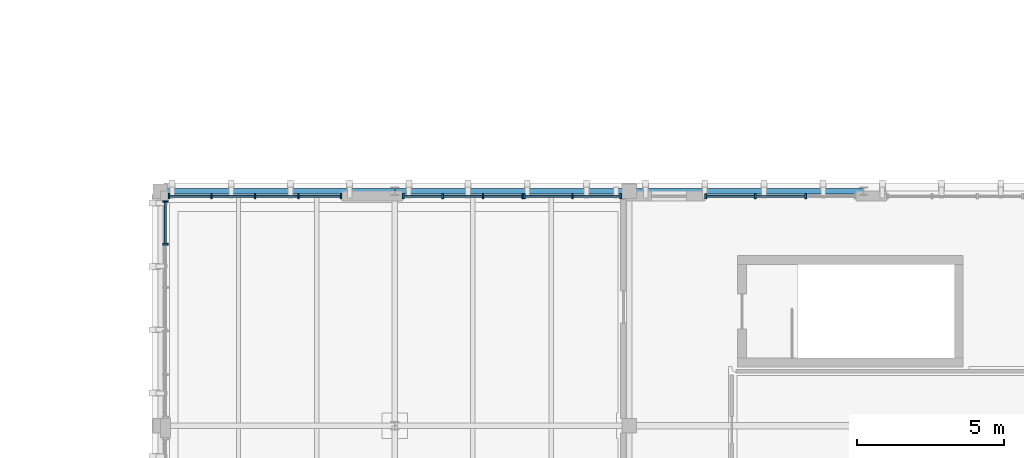
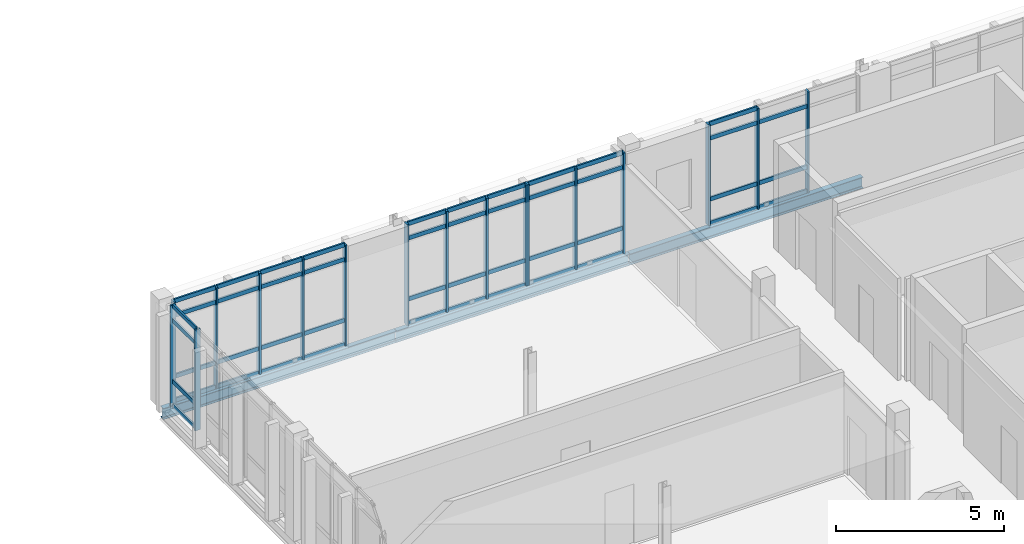
# One storey, part 6 of 28: 64 members, 3 beams, 5 elements without a shape of their own.
"""IFC4 building model written with IfcOpenShell, lengths in metres."""

from ifc_helpers import new_model, si_unit, direction, frame, origin, origin_2d, place, context, subcontext, project, spatial, rectangle, i_section, extrude, material, material_profile, profile_set, type_object, element, aggregate, save


model = new_model("IFC4")

# Units and contexts
model_context = context("Model", 3, precision=1e-05, world=origin(), true_north=direction((0.0, 1.0)))
body_context = subcontext(model_context, "Body", "Model", "MODEL_VIEW")
ifc_project = project(units=[si_unit("LENGTHUNIT", "METRE"), si_unit("AREAUNIT", "SQUARE_METRE"), si_unit("VOLUMEUNIT", "CUBIC_METRE"), si_unit("PLANEANGLEUNIT", "RADIAN"), si_unit("MASSUNIT", "GRAM", prefix="KILO")], contexts=[model_context])

# Site, building, storey
site_placement = place(None, origin())
site = spatial("IfcSite", under=ifc_project, at=site_placement, CompositionType="ELEMENT")
building_placement = place(site_placement, origin())
building = spatial("IfcBuilding", under=site, at=building_placement, Name="Cymarion Research Institute", CompositionType="ELEMENT")
storey_placement = place(building_placement, frame((0.0, 0.0, 30.60009765625)))
storey = spatial("IfcBuildingStorey", under=building, at=storey_placement, Name="L07", CompositionType="ELEMENT", Elevation=30.60009765625)

# Curtain wall, members
ifc_material_1 = material(Name="Anodised aluminium unitised curtain wall with Low-E glazing", Category="aluminium")
curtain_wall_type_1 = type_object("IfcCurtainWallType", Name="UNITISED CURTAIN WALL CW71 5150X3660", PredefinedType="NOTDEFINED", material=ifc_material_1)
curtain_wall_1_placement = place(storey_placement, origin())
curtain_wall_1 = element("IfcCurtainWall", 1, at=curtain_wall_1_placement, inside=storey, type_object=curtain_wall_type_1, Name="L07 V4 unitised curtain wall CW71 #236", PredefinedType="NOTDEFINED")
ifc_material_2 = material(Name="Anodised aluminium framing", Category="aluminium")
ifc_material_profile_1 = material_profile(ifc_material_2, rectangle(XDim=0.06005859375, YDim=0.179931640625, at=origin_2d()), Name="ALU MULLION 60x180")
ifc_profile_set_1 = profile_set([ifc_material_profile_1], Name="Anodised aluminium framing")
member_type_1 = type_object("IfcMemberType", Name="CURTAIN WALL MULLION ML01 60X180", PredefinedType="MULLION", material=ifc_profile_set_1)
member_1_placement = place(storey_placement, frame((36.6220703125, 71.330078125, 0.0), z_axis=(0.0, 0.0, 1.0), x_axis=(-1.0, 0.0, 0.0)))
member_1 = element("IfcMember", 2, at=member_1_placement, type_object=member_type_1, Name="CW71 mullion 2", PredefinedType="MULLION", context=body_context, shape_type="SweptSolid", body=[
    extrude(rectangle(XDim=0.06005859375, YDim=0.179931640625, at=origin_2d()), origin(), (0.0, 0.0, 1.0), 3.659912109375),
])
member_2_placement = place(storey_placement, frame((34.904296875, 71.330078125, 0.0), z_axis=(0.0, 0.0, 1.0), x_axis=(-1.0, 0.0, 0.0)))
member_2 = element("IfcMember", 3, at=member_2_placement, type_object=member_type_1, Name="CW71 mullion 3", PredefinedType="MULLION", context=body_context, shape_type="SweptSolid", body=[
    extrude(rectangle(XDim=0.06005859375, YDim=0.179931640625, at=origin_2d()), origin(), (0.0, 0.0, 1.0), 3.659912109375),
])
member_3_placement = place(storey_placement, frame((33.21630859375, 71.330078125, 0.0), z_axis=(0.0, 0.0, 1.0), x_axis=(-1.0, 0.0, 0.0)))
member_3 = element("IfcMember", 4, at=member_3_placement, type_object=member_type_1, Name="CW71 mullion 4", PredefinedType="MULLION", context=body_context, shape_type="SweptSolid", body=[
    extrude(rectangle(XDim=0.06005859375, YDim=0.179931640625, at=origin_2d()), origin(), (0.0, 0.0, 1.0), 3.659912109375),
])

curtain_wall_type_2 = type_object("IfcCurtainWallType", Name="UNITISED CURTAIN WALL CW72 3350X3660", PredefinedType="NOTDEFINED", material=ifc_material_1)
curtain_wall_2_placement = place(storey_placement, origin())
curtain_wall_2 = element("IfcCurtainWall", 5, at=curtain_wall_2_placement, inside=storey, type_object=curtain_wall_type_2, Name="L07 V4 unitised curtain wall CW72 #237", PredefinedType="NOTDEFINED")
member_4_placement = place(storey_placement, frame((30.31005859375, 71.330078125, 0.0), z_axis=(0.0, 0.0, 1.0), x_axis=(-1.0, 0.0, 0.0)))
member_4 = element("IfcMember", 6, at=member_4_placement, type_object=member_type_1, Name="CW72 mullion 1", PredefinedType="MULLION", context=body_context, shape_type="SweptSolid", body=[
    extrude(rectangle(XDim=0.06005859375, YDim=0.179931640625, at=origin_2d()), origin(), (0.0, 0.0, 1.0), 3.659912109375),
])
member_5_placement = place(storey_placement, frame((28.66552734375, 71.330078125, 0.0), z_axis=(0.0, 0.0, 1.0), x_axis=(-1.0, 0.0, 0.0)))
member_5 = element("IfcMember", 7, at=member_5_placement, type_object=member_type_1, Name="CW72 mullion 2", PredefinedType="MULLION", context=body_context, shape_type="SweptSolid", body=[
    extrude(rectangle(XDim=0.06005859375, YDim=0.179931640625, at=origin_2d()), origin(), (0.0, 0.0, 1.0), 3.659912109375),
])
member_6_placement = place(storey_placement, frame((27.02099609375, 71.330078125, 0.0), z_axis=(0.0, 0.0, 1.0), x_axis=(-1.0, 0.0, 0.0)))
member_6 = element("IfcMember", 8, at=member_6_placement, type_object=member_type_1, Name="CW72 mullion 3", PredefinedType="MULLION", context=body_context, shape_type="SweptSolid", body=[
    extrude(rectangle(XDim=0.06005859375, YDim=0.179931640625, at=origin_2d()), origin(), (0.0, 0.0, 1.0), 3.659912109375),
])

curtain_wall_type_3 = type_object("IfcCurtainWallType", Name="UNITISED CURTAIN WALL CW73 4130X3660", PredefinedType="NOTDEFINED", material=ifc_material_1)
curtain_wall_3_placement = place(storey_placement, origin())
curtain_wall_3 = element("IfcCurtainWall", 9, at=curtain_wall_3_placement, inside=storey, type_object=curtain_wall_type_3, Name="L07 V4 unitised curtain wall CW73 #238", PredefinedType="NOTDEFINED")
member_7_placement = place(storey_placement, frame((26.9609375, 71.330078125, 0.0), z_axis=(0.0, 0.0, 1.0), x_axis=(-1.0, 0.0, 0.0)))
member_7 = element("IfcMember", 10, at=member_7_placement, type_object=member_type_1, Name="CW73 mullion 1", PredefinedType="MULLION", context=body_context, shape_type="SweptSolid", body=[
    extrude(rectangle(XDim=0.06005859375, YDim=0.179931640625, at=origin_2d()), origin(), (0.0, 0.0, 1.0), 3.659912109375),
])
member_8_placement = place(storey_placement, frame((25.614013671875, 71.330078125, 0.0), z_axis=(0.0, 0.0, 1.0), x_axis=(-1.0, 0.0, 0.0)))
member_8 = element("IfcMember", 11, at=member_8_placement, type_object=member_type_1, Name="CW73 mullion 2", PredefinedType="MULLION", context=body_context, shape_type="SweptSolid", body=[
    extrude(rectangle(XDim=0.06005859375, YDim=0.179931640625, at=origin_2d()), origin(), (0.0, 0.0, 1.0), 3.659912109375),
])
member_9_placement = place(storey_placement, frame((24.237060546875, 71.330078125, 0.0), z_axis=(0.0, 0.0, 1.0), x_axis=(-1.0, 0.0, 0.0)))
member_9 = element("IfcMember", 12, at=member_9_placement, type_object=member_type_1, Name="CW73 mullion 3", PredefinedType="MULLION", context=body_context, shape_type="SweptSolid", body=[
    extrude(rectangle(XDim=0.06005859375, YDim=0.179931640625, at=origin_2d()), origin(), (0.0, 0.0, 1.0), 3.659912109375),
])
member_10_placement = place(storey_placement, frame((22.889892578125, 71.330078125, 0.0), z_axis=(0.0, 0.0, 1.0), x_axis=(-1.0, 0.0, 0.0)))
member_10 = element("IfcMember", 13, at=member_10_placement, type_object=member_type_1, Name="CW73 mullion 4", PredefinedType="MULLION", context=body_context, shape_type="SweptSolid", body=[
    extrude(rectangle(XDim=0.06005859375, YDim=0.179931640625, at=origin_2d()), origin(), (0.0, 0.0, 1.0), 3.659912109375),
])

curtain_wall_type_4 = type_object("IfcCurtainWallType", Name="UNITISED CURTAIN WALL CW74 5930X3660", PredefinedType="NOTDEFINED", material=ifc_material_1)
curtain_wall_4_placement = place(storey_placement, origin())
curtain_wall_4 = element("IfcCurtainWall", 14, at=curtain_wall_4_placement, inside=storey, type_object=curtain_wall_type_4, Name="L07 V4 unitised curtain wall CW74 #239", PredefinedType="NOTDEFINED")
member_11_placement = place(storey_placement, frame((20.765380859375, 71.330078125, 0.0), z_axis=(0.0, 0.0, 1.0), x_axis=(-1.0, 0.0, 0.0)))
member_11 = element("IfcMember", 15, at=member_11_placement, type_object=member_type_1, Name="CW74 mullion 1", PredefinedType="MULLION", context=body_context, shape_type="SweptSolid", body=[
    extrude(rectangle(XDim=0.06005859375, YDim=0.179931640625, at=origin_2d()), origin(), (0.0, 0.0, 1.0), 3.659912109375),
])
member_12_placement = place(storey_placement, frame((19.3115234375, 71.330078125, 0.0), z_axis=(0.0, 0.0, 1.0), x_axis=(-1.0, 0.0, 0.0)))
member_12 = element("IfcMember", 16, at=member_12_placement, type_object=member_type_1, Name="CW74 mullion 2", PredefinedType="MULLION", context=body_context, shape_type="SweptSolid", body=[
    extrude(rectangle(XDim=0.06005859375, YDim=0.179931640625, at=origin_2d()), origin(), (0.0, 0.0, 1.0), 3.659912109375),
])
member_13_placement = place(storey_placement, frame((17.82763671875, 71.330078125, 0.0), z_axis=(0.0, 0.0, 1.0), x_axis=(-1.0, 0.0, 0.0)))
member_13 = element("IfcMember", 17, at=member_13_placement, type_object=member_type_1, Name="CW74 mullion 3", PredefinedType="MULLION", context=body_context, shape_type="SweptSolid", body=[
    extrude(rectangle(XDim=0.06005859375, YDim=0.179931640625, at=origin_2d()), origin(), (0.0, 0.0, 1.0), 3.659912109375),
])
member_14_placement = place(storey_placement, frame((16.34375, 71.330078125, 0.0), z_axis=(0.0, 0.0, 1.0), x_axis=(-1.0, 0.0, 0.0)))
member_14 = element("IfcMember", 18, at=member_14_placement, type_object=member_type_1, Name="CW74 mullion 4", PredefinedType="MULLION", context=body_context, shape_type="SweptSolid", body=[
    extrude(rectangle(XDim=0.06005859375, YDim=0.179931640625, at=origin_2d()), origin(), (0.0, 0.0, 1.0), 3.659912109375),
])
member_15_placement = place(storey_placement, frame((14.889892578125, 71.330078125, 0.0), z_axis=(0.0, 0.0, 1.0), x_axis=(-1.0, 0.0, 0.0)))
member_15 = element("IfcMember", 19, at=member_15_placement, type_object=member_type_1, Name="CW74 mullion 5", PredefinedType="MULLION", context=body_context, shape_type="SweptSolid", body=[
    extrude(rectangle(XDim=0.06005859375, YDim=0.179931640625, at=origin_2d()), origin(), (0.0, 0.0, 1.0), 3.659912109375),
])

curtain_wall_type_5 = type_object("IfcCurtainWallType", Name="UNITISED CURTAIN WALL CW75 7420X3660", PredefinedType="NOTDEFINED", material=ifc_material_1)
curtain_wall_5_placement = place(storey_placement, origin())
curtain_wall_5 = element("IfcCurtainWall", 20, at=curtain_wall_5_placement, inside=storey, type_object=curtain_wall_type_5, Name="L07 V4 unitised curtain wall CW75 #240", PredefinedType="NOTDEFINED")
member_16_placement = place(storey_placement, frame((14.77001953125, 71.14794921875, 0.0), z_axis=(0.0, 0.0, 1.0), x_axis=(0.0, -1.0, 0.0)))
member_16 = element("IfcMember", 21, at=member_16_placement, type_object=member_type_1, Name="CW75 mullion 1", PredefinedType="MULLION", context=body_context, shape_type="SweptSolid", body=[
    extrude(rectangle(XDim=0.06005859375, YDim=0.179931640625, at=origin_2d()), origin(), (0.0, 0.0, 1.0), 3.659912109375),
])
member_17_placement = place(storey_placement, frame((14.77001953125, 69.6943359375, 0.0), z_axis=(0.0, 0.0, 1.0), x_axis=(0.0, -1.0, 0.0)))
member_17 = element("IfcMember", 22, at=member_17_placement, type_object=member_type_1, Name="CW75 mullion 2", PredefinedType="MULLION", context=body_context, shape_type="SweptSolid", body=[
    extrude(rectangle(XDim=0.06005859375, YDim=0.179931640625, at=origin_2d()), origin(), (0.0, 0.0, 1.0), 3.659912109375),
])

# Member
ifc_material_profile_2 = material_profile(ifc_material_2, rectangle(XDim=0.06005859375, YDim=0.14990234375, at=origin_2d()), Name="ALU TRANSOM 60x150")
ifc_profile_set_2 = profile_set([ifc_material_profile_2], Name="Anodised aluminium framing")
member_type_2 = type_object("IfcMemberType", Name="CURTAIN WALL TRANSOM TR01 60X150", PredefinedType="USERDEFINED", material=ifc_profile_set_2)
member_18_placement = place(storey_placement, frame((36.592041015625, 71.330078125, 0.02978515625), z_axis=(-1.0, 0.0, 0.0), x_axis=(0.0, -1.0, 0.0)))
member_18 = element("IfcMember", 23, at=member_18_placement, type_object=member_type_2, Name="CW71 transom 2.1", ObjectType="TRANSOM", PredefinedType="USERDEFINED", context=body_context, shape_type="SweptSolid", body=[
    extrude(rectangle(XDim=0.06005859375, YDim=0.14990234375, at=origin_2d()), origin(), (0.0, 0.0, 1.0), 1.657958984375),
])

member_19_placement = place(storey_placement, frame((36.592041015625, 71.330078125, 0.89990234375), z_axis=(-1.0, 0.0, 0.0), x_axis=(0.0, -1.0, 0.0)))
member_19 = element("IfcMember", 24, at=member_19_placement, type_object=member_type_2, Name="CW71 transom 2.2", ObjectType="TRANSOM", PredefinedType="USERDEFINED", context=body_context, shape_type="SweptSolid", body=[
    extrude(rectangle(XDim=0.06005859375, YDim=0.14990234375, at=origin_2d()), origin(), (0.0, 0.0, 1.0), 1.657958984375),
])

member_20_placement = place(storey_placement, frame((36.592041015625, 71.330078125, 3.10986328125), z_axis=(-1.0, 0.0, 0.0), x_axis=(0.0, -1.0, 0.0)))
member_20 = element("IfcMember", 25, at=member_20_placement, type_object=member_type_2, Name="CW71 transom 2.3", ObjectType="TRANSOM", PredefinedType="USERDEFINED", context=body_context, shape_type="SweptSolid", body=[
    extrude(rectangle(XDim=0.06005859375, YDim=0.14990234375, at=origin_2d()), origin(), (0.0, 0.0, 1.0), 1.657958984375),
])

member_21_placement = place(storey_placement, frame((34.874267578125, 71.330078125, 0.02978515625), z_axis=(-1.0, 0.0, 0.0), x_axis=(0.0, -1.0, 0.0)))
member_21 = element("IfcMember", 26, at=member_21_placement, type_object=member_type_2, Name="CW71 transom 3.1", ObjectType="TRANSOM", PredefinedType="USERDEFINED", context=body_context, shape_type="SweptSolid", body=[
    extrude(rectangle(XDim=0.06005859375, YDim=0.14990234375, at=origin_2d()), origin(), (0.0, 0.0, 1.0), 1.6279296875),
])

member_22_placement = place(storey_placement, frame((34.874267578125, 71.330078125, 0.89990234375), z_axis=(-1.0, 0.0, 0.0), x_axis=(0.0, -1.0, 0.0)))
member_22 = element("IfcMember", 27, at=member_22_placement, type_object=member_type_2, Name="CW71 transom 3.2", ObjectType="TRANSOM", PredefinedType="USERDEFINED", context=body_context, shape_type="SweptSolid", body=[
    extrude(rectangle(XDim=0.06005859375, YDim=0.14990234375, at=origin_2d()), origin(), (0.0, 0.0, 1.0), 1.6279296875),
])

member_23_placement = place(storey_placement, frame((34.874267578125, 71.330078125, 3.10986328125), z_axis=(-1.0, 0.0, 0.0), x_axis=(0.0, -1.0, 0.0)))
member_23 = element("IfcMember", 28, at=member_23_placement, type_object=member_type_2, Name="CW71 transom 3.3", ObjectType="TRANSOM", PredefinedType="USERDEFINED", context=body_context, shape_type="SweptSolid", body=[
    extrude(rectangle(XDim=0.06005859375, YDim=0.14990234375, at=origin_2d()), origin(), (0.0, 0.0, 1.0), 1.6279296875),
])

member_24_placement = place(storey_placement, frame((34.874267578125, 71.330078125, 3.6298828125), z_axis=(-1.0, 0.0, 0.0), x_axis=(0.0, -1.0, 0.0)))
member_24 = element("IfcMember", 29, at=member_24_placement, type_object=member_type_2, Name="CW71 transom 3.4", ObjectType="TRANSOM", PredefinedType="USERDEFINED", context=body_context, shape_type="SweptSolid", body=[
    extrude(rectangle(XDim=0.06005859375, YDim=0.14990234375, at=origin_2d()), origin(), (0.0, 0.0, 1.0), 1.6279296875),
])

aggregate(curtain_wall_1, [member_1, member_2, member_3, member_18, member_19, member_20, member_21, member_22, member_23, member_24])

member_25_placement = place(storey_placement, frame((30.280029296875, 71.330078125, 0.02978515625), z_axis=(-1.0, 0.0, 0.0), x_axis=(0.0, -1.0, 0.0)))
member_25 = element("IfcMember", 30, at=member_25_placement, type_object=member_type_2, Name="CW72 transom 1.1", ObjectType="TRANSOM", PredefinedType="USERDEFINED", context=body_context, shape_type="SweptSolid", body=[
    extrude(rectangle(XDim=0.06005859375, YDim=0.14990234375, at=origin_2d()), origin(), (0.0, 0.0, 1.0), 1.58447265625),
])

member_26_placement = place(storey_placement, frame((30.280029296875, 71.330078125, 0.89990234375), z_axis=(-1.0, 0.0, 0.0), x_axis=(0.0, -1.0, 0.0)))
member_26 = element("IfcMember", 31, at=member_26_placement, type_object=member_type_2, Name="CW72 transom 1.2", ObjectType="TRANSOM", PredefinedType="USERDEFINED", context=body_context, shape_type="SweptSolid", body=[
    extrude(rectangle(XDim=0.06005859375, YDim=0.14990234375, at=origin_2d()), origin(), (0.0, 0.0, 1.0), 1.58447265625),
])

member_27_placement = place(storey_placement, frame((30.280029296875, 71.330078125, 3.10986328125), z_axis=(-1.0, 0.0, 0.0), x_axis=(0.0, -1.0, 0.0)))
member_27 = element("IfcMember", 32, at=member_27_placement, type_object=member_type_2, Name="CW72 transom 1.3", ObjectType="TRANSOM", PredefinedType="USERDEFINED", context=body_context, shape_type="SweptSolid", body=[
    extrude(rectangle(XDim=0.06005859375, YDim=0.14990234375, at=origin_2d()), origin(), (0.0, 0.0, 1.0), 1.58447265625),
])

member_28_placement = place(storey_placement, frame((30.280029296875, 71.330078125, 3.6298828125), z_axis=(-1.0, 0.0, 0.0), x_axis=(0.0, -1.0, 0.0)))
member_28 = element("IfcMember", 33, at=member_28_placement, type_object=member_type_2, Name="CW72 transom 1.4", ObjectType="TRANSOM", PredefinedType="USERDEFINED", context=body_context, shape_type="SweptSolid", body=[
    extrude(rectangle(XDim=0.06005859375, YDim=0.14990234375, at=origin_2d()), origin(), (0.0, 0.0, 1.0), 1.58447265625),
])

member_29_placement = place(storey_placement, frame((28.635498046875, 71.330078125, 0.02978515625), z_axis=(-1.0, 0.0, 0.0), x_axis=(0.0, -1.0, 0.0)))
member_29 = element("IfcMember", 34, at=member_29_placement, type_object=member_type_2, Name="CW72 transom 2.1", ObjectType="TRANSOM", PredefinedType="USERDEFINED", context=body_context, shape_type="SweptSolid", body=[
    extrude(rectangle(XDim=0.06005859375, YDim=0.14990234375, at=origin_2d()), origin(), (0.0, 0.0, 1.0), 1.584716796875),
])

member_30_placement = place(storey_placement, frame((28.635498046875, 71.330078125, 0.89990234375), z_axis=(-1.0, 0.0, 0.0), x_axis=(0.0, -1.0, 0.0)))
member_30 = element("IfcMember", 35, at=member_30_placement, type_object=member_type_2, Name="CW72 transom 2.2", ObjectType="TRANSOM", PredefinedType="USERDEFINED", context=body_context, shape_type="SweptSolid", body=[
    extrude(rectangle(XDim=0.06005859375, YDim=0.14990234375, at=origin_2d()), origin(), (0.0, 0.0, 1.0), 1.584716796875),
])

member_31_placement = place(storey_placement, frame((28.635498046875, 71.330078125, 3.10986328125), z_axis=(-1.0, 0.0, 0.0), x_axis=(0.0, -1.0, 0.0)))
member_31 = element("IfcMember", 36, at=member_31_placement, type_object=member_type_2, Name="CW72 transom 2.3", ObjectType="TRANSOM", PredefinedType="USERDEFINED", context=body_context, shape_type="SweptSolid", body=[
    extrude(rectangle(XDim=0.06005859375, YDim=0.14990234375, at=origin_2d()), origin(), (0.0, 0.0, 1.0), 1.584716796875),
])

member_32_placement = place(storey_placement, frame((28.635498046875, 71.330078125, 3.6298828125), z_axis=(-1.0, 0.0, 0.0), x_axis=(0.0, -1.0, 0.0)))
member_32 = element("IfcMember", 37, at=member_32_placement, type_object=member_type_2, Name="CW72 transom 2.4", ObjectType="TRANSOM", PredefinedType="USERDEFINED", context=body_context, shape_type="SweptSolid", body=[
    extrude(rectangle(XDim=0.06005859375, YDim=0.14990234375, at=origin_2d()), origin(), (0.0, 0.0, 1.0), 1.584716796875),
])

aggregate(curtain_wall_2, [member_4, member_5, member_6, member_25, member_26, member_27, member_28, member_29, member_30, member_31, member_32])

member_33_placement = place(storey_placement, frame((26.930908203125, 71.330078125, 0.02978515625), z_axis=(-1.0, 0.0, 0.0), x_axis=(0.0, -1.0, 0.0)))
member_33 = element("IfcMember", 38, at=member_33_placement, type_object=member_type_2, Name="CW73 transom 1.1", ObjectType="TRANSOM", PredefinedType="USERDEFINED", context=body_context, shape_type="SweptSolid", body=[
    extrude(rectangle(XDim=0.06005859375, YDim=0.14990234375, at=origin_2d()), origin(), (0.0, 0.0, 1.0), 1.286865234375),
])

member_34_placement = place(storey_placement, frame((26.930908203125, 71.330078125, 0.89990234375), z_axis=(-1.0, 0.0, 0.0), x_axis=(0.0, -1.0, 0.0)))
member_34 = element("IfcMember", 39, at=member_34_placement, type_object=member_type_2, Name="CW73 transom 1.2", ObjectType="TRANSOM", PredefinedType="USERDEFINED", context=body_context, shape_type="SweptSolid", body=[
    extrude(rectangle(XDim=0.06005859375, YDim=0.14990234375, at=origin_2d()), origin(), (0.0, 0.0, 1.0), 1.286865234375),
])

member_35_placement = place(storey_placement, frame((26.930908203125, 71.330078125, 3.10986328125), z_axis=(-1.0, 0.0, 0.0), x_axis=(0.0, -1.0, 0.0)))
member_35 = element("IfcMember", 40, at=member_35_placement, type_object=member_type_2, Name="CW73 transom 1.3", ObjectType="TRANSOM", PredefinedType="USERDEFINED", context=body_context, shape_type="SweptSolid", body=[
    extrude(rectangle(XDim=0.06005859375, YDim=0.14990234375, at=origin_2d()), origin(), (0.0, 0.0, 1.0), 1.286865234375),
])

member_36_placement = place(storey_placement, frame((26.930908203125, 71.330078125, 3.6298828125), z_axis=(-1.0, 0.0, 0.0), x_axis=(0.0, -1.0, 0.0)))
member_36 = element("IfcMember", 41, at=member_36_placement, type_object=member_type_2, Name="CW73 transom 1.4", ObjectType="TRANSOM", PredefinedType="USERDEFINED", context=body_context, shape_type="SweptSolid", body=[
    extrude(rectangle(XDim=0.06005859375, YDim=0.14990234375, at=origin_2d()), origin(), (0.0, 0.0, 1.0), 1.286865234375),
])

member_37_placement = place(storey_placement, frame((25.583984375, 71.330078125, 0.02978515625), z_axis=(-1.0, 0.0, 0.0), x_axis=(0.0, -1.0, 0.0)))
member_37 = element("IfcMember", 42, at=member_37_placement, type_object=member_type_2, Name="CW73 transom 2.1", ObjectType="TRANSOM", PredefinedType="USERDEFINED", context=body_context, shape_type="SweptSolid", body=[
    extrude(rectangle(XDim=0.06005859375, YDim=0.14990234375, at=origin_2d()), origin(), (0.0, 0.0, 1.0), 1.317138671875),
])

member_38_placement = place(storey_placement, frame((25.583984375, 71.330078125, 0.89990234375), z_axis=(-1.0, 0.0, 0.0), x_axis=(0.0, -1.0, 0.0)))
member_38 = element("IfcMember", 43, at=member_38_placement, type_object=member_type_2, Name="CW73 transom 2.2", ObjectType="TRANSOM", PredefinedType="USERDEFINED", context=body_context, shape_type="SweptSolid", body=[
    extrude(rectangle(XDim=0.06005859375, YDim=0.14990234375, at=origin_2d()), origin(), (0.0, 0.0, 1.0), 1.317138671875),
])

member_39_placement = place(storey_placement, frame((25.583984375, 71.330078125, 3.10986328125), z_axis=(-1.0, 0.0, 0.0), x_axis=(0.0, -1.0, 0.0)))
member_39 = element("IfcMember", 44, at=member_39_placement, type_object=member_type_2, Name="CW73 transom 2.3", ObjectType="TRANSOM", PredefinedType="USERDEFINED", context=body_context, shape_type="SweptSolid", body=[
    extrude(rectangle(XDim=0.06005859375, YDim=0.14990234375, at=origin_2d()), origin(), (0.0, 0.0, 1.0), 1.317138671875),
])

member_40_placement = place(storey_placement, frame((25.583984375, 71.330078125, 3.6298828125), z_axis=(-1.0, 0.0, 0.0), x_axis=(0.0, -1.0, 0.0)))
member_40 = element("IfcMember", 45, at=member_40_placement, type_object=member_type_2, Name="CW73 transom 2.4", ObjectType="TRANSOM", PredefinedType="USERDEFINED", context=body_context, shape_type="SweptSolid", body=[
    extrude(rectangle(XDim=0.06005859375, YDim=0.14990234375, at=origin_2d()), origin(), (0.0, 0.0, 1.0), 1.317138671875),
])

member_41_placement = place(storey_placement, frame((24.20703125, 71.330078125, 0.02978515625), z_axis=(-1.0, 0.0, 0.0), x_axis=(0.0, -1.0, 0.0)))
member_41 = element("IfcMember", 46, at=member_41_placement, type_object=member_type_2, Name="CW73 transom 3.1", ObjectType="TRANSOM", PredefinedType="USERDEFINED", context=body_context, shape_type="SweptSolid", body=[
    extrude(rectangle(XDim=0.06005859375, YDim=0.14990234375, at=origin_2d()), origin(), (0.0, 0.0, 1.0), 1.287109375),
])

member_42_placement = place(storey_placement, frame((24.20703125, 71.330078125, 0.89990234375), z_axis=(-1.0, 0.0, 0.0), x_axis=(0.0, -1.0, 0.0)))
member_42 = element("IfcMember", 47, at=member_42_placement, type_object=member_type_2, Name="CW73 transom 3.2", ObjectType="TRANSOM", PredefinedType="USERDEFINED", context=body_context, shape_type="SweptSolid", body=[
    extrude(rectangle(XDim=0.06005859375, YDim=0.14990234375, at=origin_2d()), origin(), (0.0, 0.0, 1.0), 1.287109375),
])

member_43_placement = place(storey_placement, frame((24.20703125, 71.330078125, 3.10986328125), z_axis=(-1.0, 0.0, 0.0), x_axis=(0.0, -1.0, 0.0)))
member_43 = element("IfcMember", 48, at=member_43_placement, type_object=member_type_2, Name="CW73 transom 3.3", ObjectType="TRANSOM", PredefinedType="USERDEFINED", context=body_context, shape_type="SweptSolid", body=[
    extrude(rectangle(XDim=0.06005859375, YDim=0.14990234375, at=origin_2d()), origin(), (0.0, 0.0, 1.0), 1.287109375),
])

member_44_placement = place(storey_placement, frame((24.20703125, 71.330078125, 3.6298828125), z_axis=(-1.0, 0.0, 0.0), x_axis=(0.0, -1.0, 0.0)))
member_44 = element("IfcMember", 49, at=member_44_placement, type_object=member_type_2, Name="CW73 transom 3.4", ObjectType="TRANSOM", PredefinedType="USERDEFINED", context=body_context, shape_type="SweptSolid", body=[
    extrude(rectangle(XDim=0.06005859375, YDim=0.14990234375, at=origin_2d()), origin(), (0.0, 0.0, 1.0), 1.287109375),
])

aggregate(curtain_wall_3, [member_7, member_8, member_9, member_10, member_33, member_34, member_35, member_36, member_37, member_38, member_39, member_40, member_41, member_42, member_43, member_44])

member_45_placement = place(storey_placement, frame((20.7353515625, 71.330078125, 0.02978515625), z_axis=(-1.0, 0.0, 0.0), x_axis=(0.0, -1.0, 0.0)))
member_45 = element("IfcMember", 50, at=member_45_placement, type_object=member_type_2, Name="CW74 transom 1.1", ObjectType="TRANSOM", PredefinedType="USERDEFINED", context=body_context, shape_type="SweptSolid", body=[
    extrude(rectangle(XDim=0.06005859375, YDim=0.14990234375, at=origin_2d()), origin(), (0.0, 0.0, 1.0), 1.393798828125),
])

member_46_placement = place(storey_placement, frame((20.7353515625, 71.330078125, 0.89990234375), z_axis=(-1.0, 0.0, 0.0), x_axis=(0.0, -1.0, 0.0)))
member_46 = element("IfcMember", 51, at=member_46_placement, type_object=member_type_2, Name="CW74 transom 1.2", ObjectType="TRANSOM", PredefinedType="USERDEFINED", context=body_context, shape_type="SweptSolid", body=[
    extrude(rectangle(XDim=0.06005859375, YDim=0.14990234375, at=origin_2d()), origin(), (0.0, 0.0, 1.0), 1.393798828125),
])

member_47_placement = place(storey_placement, frame((20.7353515625, 71.330078125, 3.10986328125), z_axis=(-1.0, 0.0, 0.0), x_axis=(0.0, -1.0, 0.0)))
member_47 = element("IfcMember", 52, at=member_47_placement, type_object=member_type_2, Name="CW74 transom 1.3", ObjectType="TRANSOM", PredefinedType="USERDEFINED", context=body_context, shape_type="SweptSolid", body=[
    extrude(rectangle(XDim=0.06005859375, YDim=0.14990234375, at=origin_2d()), origin(), (0.0, 0.0, 1.0), 1.393798828125),
])

member_48_placement = place(storey_placement, frame((20.7353515625, 71.330078125, 3.6298828125), z_axis=(-1.0, 0.0, 0.0), x_axis=(0.0, -1.0, 0.0)))
member_48 = element("IfcMember", 53, at=member_48_placement, type_object=member_type_2, Name="CW74 transom 1.4", ObjectType="TRANSOM", PredefinedType="USERDEFINED", context=body_context, shape_type="SweptSolid", body=[
    extrude(rectangle(XDim=0.06005859375, YDim=0.14990234375, at=origin_2d()), origin(), (0.0, 0.0, 1.0), 1.393798828125),
])

member_49_placement = place(storey_placement, frame((19.281494140625, 71.330078125, 0.02978515625), z_axis=(-1.0, 0.0, 0.0), x_axis=(0.0, -1.0, 0.0)))
member_49 = element("IfcMember", 54, at=member_49_placement, type_object=member_type_2, Name="CW74 transom 2.1", ObjectType="TRANSOM", PredefinedType="USERDEFINED", context=body_context, shape_type="SweptSolid", body=[
    extrude(rectangle(XDim=0.06005859375, YDim=0.14990234375, at=origin_2d()), origin(), (0.0, 0.0, 1.0), 1.423828125),
])

member_50_placement = place(storey_placement, frame((19.281494140625, 71.330078125, 0.89990234375), z_axis=(-1.0, 0.0, 0.0), x_axis=(0.0, -1.0, 0.0)))
member_50 = element("IfcMember", 55, at=member_50_placement, type_object=member_type_2, Name="CW74 transom 2.2", ObjectType="TRANSOM", PredefinedType="USERDEFINED", context=body_context, shape_type="SweptSolid", body=[
    extrude(rectangle(XDim=0.06005859375, YDim=0.14990234375, at=origin_2d()), origin(), (0.0, 0.0, 1.0), 1.423828125),
])

member_51_placement = place(storey_placement, frame((19.281494140625, 71.330078125, 3.10986328125), z_axis=(-1.0, 0.0, 0.0), x_axis=(0.0, -1.0, 0.0)))
member_51 = element("IfcMember", 56, at=member_51_placement, type_object=member_type_2, Name="CW74 transom 2.3", ObjectType="TRANSOM", PredefinedType="USERDEFINED", context=body_context, shape_type="SweptSolid", body=[
    extrude(rectangle(XDim=0.06005859375, YDim=0.14990234375, at=origin_2d()), origin(), (0.0, 0.0, 1.0), 1.423828125),
])

member_52_placement = place(storey_placement, frame((19.281494140625, 71.330078125, 3.6298828125), z_axis=(-1.0, 0.0, 0.0), x_axis=(0.0, -1.0, 0.0)))
member_52 = element("IfcMember", 57, at=member_52_placement, type_object=member_type_2, Name="CW74 transom 2.4", ObjectType="TRANSOM", PredefinedType="USERDEFINED", context=body_context, shape_type="SweptSolid", body=[
    extrude(rectangle(XDim=0.06005859375, YDim=0.14990234375, at=origin_2d()), origin(), (0.0, 0.0, 1.0), 1.423828125),
])

member_53_placement = place(storey_placement, frame((17.797607421875, 71.330078125, 0.02978515625), z_axis=(-1.0, 0.0, 0.0), x_axis=(0.0, -1.0, 0.0)))
member_53 = element("IfcMember", 58, at=member_53_placement, type_object=member_type_2, Name="CW74 transom 3.1", ObjectType="TRANSOM", PredefinedType="USERDEFINED", context=body_context, shape_type="SweptSolid", body=[
    extrude(rectangle(XDim=0.06005859375, YDim=0.14990234375, at=origin_2d()), origin(), (0.0, 0.0, 1.0), 1.423828125),
])

member_54_placement = place(storey_placement, frame((17.797607421875, 71.330078125, 0.89990234375), z_axis=(-1.0, 0.0, 0.0), x_axis=(0.0, -1.0, 0.0)))
member_54 = element("IfcMember", 59, at=member_54_placement, type_object=member_type_2, Name="CW74 transom 3.2", ObjectType="TRANSOM", PredefinedType="USERDEFINED", context=body_context, shape_type="SweptSolid", body=[
    extrude(rectangle(XDim=0.06005859375, YDim=0.14990234375, at=origin_2d()), origin(), (0.0, 0.0, 1.0), 1.423828125),
])

member_55_placement = place(storey_placement, frame((17.797607421875, 71.330078125, 3.10986328125), z_axis=(-1.0, 0.0, 0.0), x_axis=(0.0, -1.0, 0.0)))
member_55 = element("IfcMember", 60, at=member_55_placement, type_object=member_type_2, Name="CW74 transom 3.3", ObjectType="TRANSOM", PredefinedType="USERDEFINED", context=body_context, shape_type="SweptSolid", body=[
    extrude(rectangle(XDim=0.06005859375, YDim=0.14990234375, at=origin_2d()), origin(), (0.0, 0.0, 1.0), 1.423828125),
])

member_56_placement = place(storey_placement, frame((17.797607421875, 71.330078125, 3.6298828125), z_axis=(-1.0, 0.0, 0.0), x_axis=(0.0, -1.0, 0.0)))
member_56 = element("IfcMember", 61, at=member_56_placement, type_object=member_type_2, Name="CW74 transom 3.4", ObjectType="TRANSOM", PredefinedType="USERDEFINED", context=body_context, shape_type="SweptSolid", body=[
    extrude(rectangle(XDim=0.06005859375, YDim=0.14990234375, at=origin_2d()), origin(), (0.0, 0.0, 1.0), 1.423828125),
])

member_57_placement = place(storey_placement, frame((16.31396484375, 71.330078125, 0.02978515625), z_axis=(-1.0, 0.0, 0.0), x_axis=(0.0, -1.0, 0.0)))
member_57 = element("IfcMember", 62, at=member_57_placement, type_object=member_type_2, Name="CW74 transom 4.1", ObjectType="TRANSOM", PredefinedType="USERDEFINED", context=body_context, shape_type="SweptSolid", body=[
    extrude(rectangle(XDim=0.06005859375, YDim=0.14990234375, at=origin_2d()), origin(), (0.0, 0.0, 1.0), 1.39404296875),
])

member_58_placement = place(storey_placement, frame((16.31396484375, 71.330078125, 0.89990234375), z_axis=(-1.0, 0.0, 0.0), x_axis=(0.0, -1.0, 0.0)))
member_58 = element("IfcMember", 63, at=member_58_placement, type_object=member_type_2, Name="CW74 transom 4.2", ObjectType="TRANSOM", PredefinedType="USERDEFINED", context=body_context, shape_type="SweptSolid", body=[
    extrude(rectangle(XDim=0.06005859375, YDim=0.14990234375, at=origin_2d()), origin(), (0.0, 0.0, 1.0), 1.39404296875),
])

member_59_placement = place(storey_placement, frame((16.31396484375, 71.330078125, 3.10986328125), z_axis=(-1.0, 0.0, 0.0), x_axis=(0.0, -1.0, 0.0)))
member_59 = element("IfcMember", 64, at=member_59_placement, type_object=member_type_2, Name="CW74 transom 4.3", ObjectType="TRANSOM", PredefinedType="USERDEFINED", context=body_context, shape_type="SweptSolid", body=[
    extrude(rectangle(XDim=0.06005859375, YDim=0.14990234375, at=origin_2d()), origin(), (0.0, 0.0, 1.0), 1.39404296875),
])

member_60_placement = place(storey_placement, frame((16.31396484375, 71.330078125, 3.6298828125), z_axis=(-1.0, 0.0, 0.0), x_axis=(0.0, -1.0, 0.0)))
member_60 = element("IfcMember", 65, at=member_60_placement, type_object=member_type_2, Name="CW74 transom 4.4", ObjectType="TRANSOM", PredefinedType="USERDEFINED", context=body_context, shape_type="SweptSolid", body=[
    extrude(rectangle(XDim=0.06005859375, YDim=0.14990234375, at=origin_2d()), origin(), (0.0, 0.0, 1.0), 1.39404296875),
])

aggregate(curtain_wall_4, [member_11, member_12, member_13, member_14, member_15, member_45, member_46, member_47, member_48, member_49, member_50, member_51, member_52, member_53, member_54, member_55, member_56, member_57, member_58, member_59, member_60])

member_61_placement = place(storey_placement, frame((14.77001953125, 71.117919921875, 0.02978515625), z_axis=(0.0, -1.0, 0.0), x_axis=(1.0, 0.0, 0.0)))
member_61 = element("IfcMember", 66, at=member_61_placement, type_object=member_type_2, Name="CW75 transom 1.1", ObjectType="TRANSOM", PredefinedType="USERDEFINED", context=body_context, shape_type="SweptSolid", body=[
    extrude(rectangle(XDim=0.06005859375, YDim=0.14990234375, at=origin_2d()), origin(), (0.0, 0.0, 1.0), 1.3935546875),
])

member_62_placement = place(storey_placement, frame((14.77001953125, 71.117919921875, 0.89990234375), z_axis=(0.0, -1.0, 0.0), x_axis=(1.0, 0.0, 0.0)))
member_62 = element("IfcMember", 67, at=member_62_placement, type_object=member_type_2, Name="CW75 transom 1.2", ObjectType="TRANSOM", PredefinedType="USERDEFINED", context=body_context, shape_type="SweptSolid", body=[
    extrude(rectangle(XDim=0.06005859375, YDim=0.14990234375, at=origin_2d()), origin(), (0.0, 0.0, 1.0), 1.3935546875),
])

member_63_placement = place(storey_placement, frame((14.77001953125, 71.117919921875, 3.10986328125), z_axis=(0.0, -1.0, 0.0), x_axis=(1.0, 0.0, 0.0)))
member_63 = element("IfcMember", 68, at=member_63_placement, type_object=member_type_2, Name="CW75 transom 1.3", ObjectType="TRANSOM", PredefinedType="USERDEFINED", context=body_context, shape_type="SweptSolid", body=[
    extrude(rectangle(XDim=0.06005859375, YDim=0.14990234375, at=origin_2d()), origin(), (0.0, 0.0, 1.0), 1.3935546875),
])

member_64_placement = place(storey_placement, frame((14.77001953125, 71.117919921875, 3.6298828125), z_axis=(0.0, -1.0, 0.0), x_axis=(1.0, 0.0, 0.0)))
member_64 = element("IfcMember", 69, at=member_64_placement, type_object=member_type_2, Name="CW75 transom 1.4", ObjectType="TRANSOM", PredefinedType="USERDEFINED", context=body_context, shape_type="SweptSolid", body=[
    extrude(rectangle(XDim=0.06005859375, YDim=0.14990234375, at=origin_2d()), origin(), (0.0, 0.0, 1.0), 1.3935546875),
])

aggregate(curtain_wall_5, [member_16, member_17, member_61, member_62, member_63, member_64])

# Beams
ifc_material_3 = material(Name="Steel S355", Category="steel")
ifc_material_profile_3 = material_profile(ifc_material_3, i_section(OverallWidth=0.179931640625, OverallDepth=0.39990234375, WebThickness=0.008544921875, FlangeThickness=0.013427734375, FilletRadius=0.02099609375, at=origin_2d()), Name="IPE 400")
ifc_profile_set_3 = profile_set([ifc_material_profile_3], Name="Steel S355")
beam_type = type_object("IfcBeamType", Name="PRIMARY GIRDER BM05 IPE 400", PredefinedType="BEAM", material=ifc_profile_set_3)
for number, where, z_axis, x_axis, name in (
    (70, (14.60595703125, 71.5, -0.420166015625), (1.0, 0.0, 0.0), (0.0, 1.0, 0.0), "L07 V4 girder BM05 #2234"),
    (71, (22.60595703125, 71.5, -0.420166015625), (1.0, 0.0, 0.0), (0.0, 1.0, 0.0), "L07 V4 girder BM05 #2235"),
    (72, (30.60595703125, 71.5, -0.420166015625), (1.0, 0.0, 0.0), (0.0, 1.0, 0.0), "L07 V4 girder BM05 #2236"),
):
    element("IfcBeam", number, at=place(storey_placement, frame(where, z_axis=z_axis, x_axis=x_axis)), inside=storey, type_object=beam_type, Name=name, PredefinedType="BEAM", context=body_context, shape_type="SweptSolid", body=[
        extrude(i_section(OverallWidth=0.179931640625, OverallDepth=0.39990234375, WebThickness=0.008544921875, FlangeThickness=0.013427734375, FilletRadius=0.02099609375, at=origin_2d()), origin(), (0.0, 0.0, 1.0), 7.988037109375),
    ])

save(model, "model.ifc")
